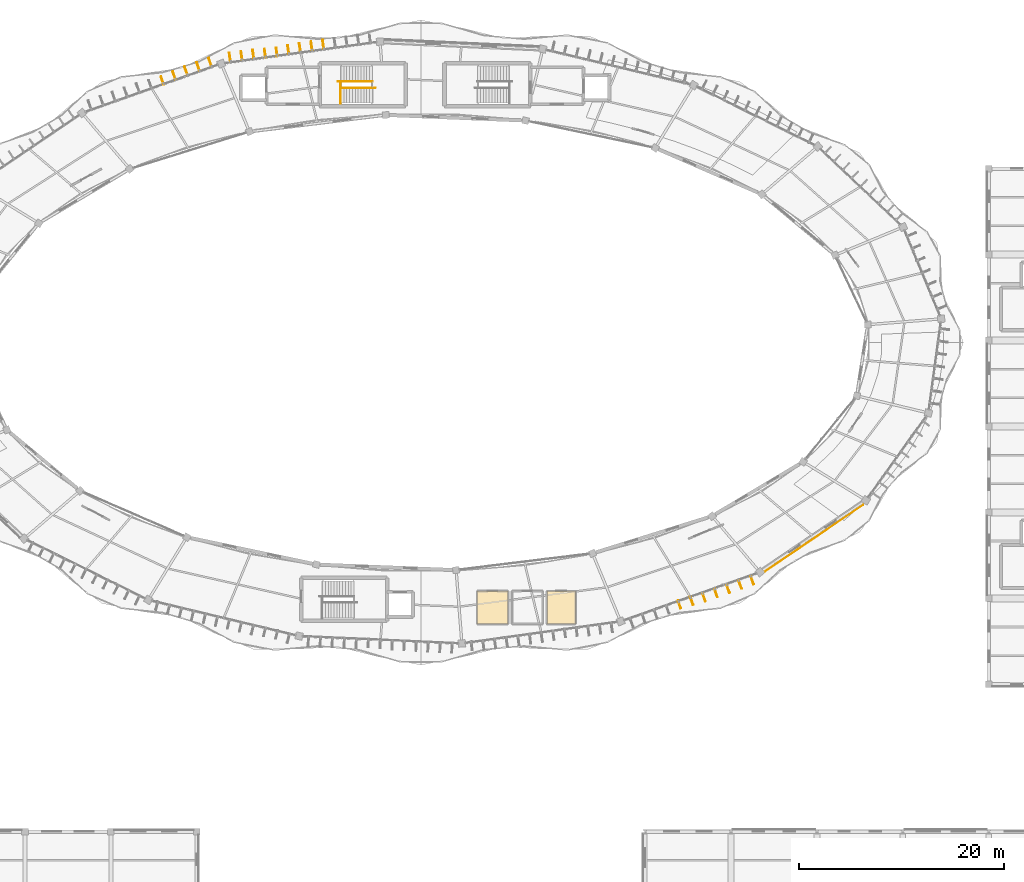
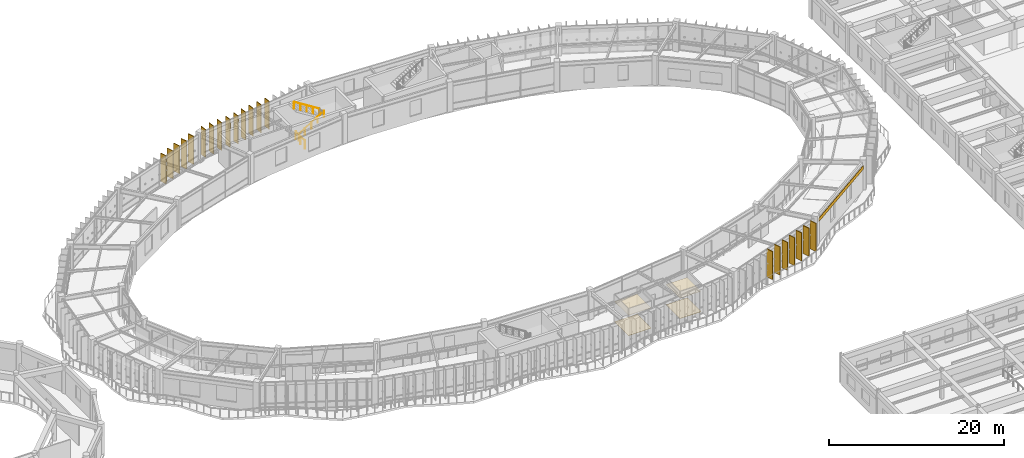
# One storey, part 134 of 138: 21 shading devices, 5 coverings, 3 railings.
"""IFC4 building model written with IfcOpenShell, lengths in metres."""

import ifcopenshell
import ifcopenshell.guid

model = None  # the IFC model being written
_history = None  # IfcOwnerHistory: only IFC2X3 demands one
_inside = {}  # id of a spatial element -> (the spatial element, [elements in it])
_under = {}  # id of a project, library or spatial element -> (it, [spatial elements below it])
_declared = {}  # id of a project -> (the project, [libraries it declares])
_typed = {}  # id of a type object -> (the type object, [elements of that type])
_made_of = {}  # id of a material, layer set ... -> (it, [elements and type objects made of it])


def new_model(schema):
    """Start an empty IFC model of exactly this schema.

    Asked for "IFC4X3", IfcOpenShell would pick the latest addendum, in which some entities
    have other attributes; the version numbers below select the first issue.
    IFC2X3 requires an IfcOwnerHistory on every rooted entity: one is made here for all.
    """
    global model, _history
    if schema == "IFC4X3":
        model = ifcopenshell.file(schema_version=(4, 3, 0, 0))
    else:
        model = ifcopenshell.file(schema=schema)
    _inside.clear()
    _under.clear()
    _declared.clear()
    _typed.clear()
    _made_of.clear()
    _history = None
    if model.schema == "IFC2X3":
        org = make("IfcOrganization", Name="unknown")
        user = make(
            "IfcPersonAndOrganization",
            ThePerson=make("IfcPerson", FamilyName="unknown"),
            TheOrganization=org,
        )
        app = make(
            "IfcApplication",
            ApplicationDeveloper=org,
            Version="unknown",
            ApplicationFullName="unknown",
            ApplicationIdentifier="unknown",
        )
        _history = make(
            "IfcOwnerHistory",
            OwningUser=user,
            OwningApplication=app,
            ChangeAction="ADDED",
            CreationDate=0,
        )
    return model


def make(cls, **values):
    """One entity of the class cls with the attributes given. An attribute that is None is left unset."""
    return model.create_entity(
        cls, **{name: value for name, value in values.items() if value is not None}
    )


def rooted(cls, **values):
    """An entity with a GlobalId (a new one), such as an element, a storey or a relation."""
    return make(cls, GlobalId=ifcopenshell.guid.new(), OwnerHistory=_history, **values)


def si_unit(unit_type, name, prefix=None):
    """IfcSIUnit, for example si_unit("LENGTHUNIT", "METRE", prefix="MILLI")."""
    return make("IfcSIUnit", UnitType=unit_type, Prefix=prefix, Name=name)


def assignment(units):
    """IfcUnitAssignment: the units of a project."""
    return None if units is None else make("IfcUnitAssignment", Units=units)


def point(xyz):
    """IfcCartesianPoint."""
    return None if xyz is None else make("IfcCartesianPoint", Coordinates=xyz)


def direction(xyz):
    """IfcDirection."""
    return None if xyz is None else make("IfcDirection", DirectionRatios=xyz)


def frame(location, z_axis=None, x_axis=None):
    """IfcAxis2Placement3D, a coordinate frame: its origin and axes. An axis left out is left unset."""
    return make(
        "IfcAxis2Placement3D",
        Location=point(location),
        Axis=direction(z_axis),
        RefDirection=direction(x_axis),
    )


def frame_2d(location, x_axis=None):
    """IfcAxis2Placement2D, a coordinate frame in the plane: its origin and x axis."""
    return make(
        "IfcAxis2Placement2D", Location=point(location), RefDirection=direction(x_axis)
    )


def origin():
    """The frame at (0, 0, 0) with its axes left unset."""
    return frame((0.0, 0.0, 0.0))


def origin_2d():
    """The frame at (0, 0) in the plane with its x axis left unset."""
    return frame_2d((0.0, 0.0))


def place(relative_to, where):
    """IfcLocalPlacement: puts the frame where relative to a parent placement (None: the world)."""
    return make(
        "IfcLocalPlacement", PlacementRelTo=relative_to, RelativePlacement=where
    )


def context(
    kind, dimensions, precision=None, world=None, true_north=None, identifier=None
):
    """IfcGeometricRepresentationContext, for example the 3D "Model" context."""
    return make(
        "IfcGeometricRepresentationContext",
        ContextIdentifier=identifier,
        ContextType=kind,
        CoordinateSpaceDimension=dimensions,
        Precision=precision,
        WorldCoordinateSystem=world,
        TrueNorth=true_north,
    )


def subcontext(parent, identifier, kind, view, scale=None):
    """IfcGeometricRepresentationSubContext, for example "Body" below "Model"."""
    return make(
        "IfcGeometricRepresentationSubContext",
        ContextIdentifier=identifier,
        ContextType=kind,
        ParentContext=parent,
        TargetScale=scale,
        TargetView=view,
    )


def project(units=None, contexts=None):
    """IfcProject with its units and contexts."""
    return rooted(
        "IfcProject",
        Name="project",
        RepresentationContexts=contexts,
        UnitsInContext=assignment(units),
    )


def spatial(cls, under=None, at=None, **own):
    """A site, building, storey or space (cls), placed at a placement, below another one or the project."""
    s = rooted(cls, ObjectPlacement=at, **own)
    if under is not None:
        _under.setdefault(under.id(), (under, []))[1].append(s)
    return s


def polyline(points):
    """IfcPolyline through the points."""
    return make("IfcPolyline", Points=[point(p) for p in points])


def profile(cls, at=None, kind="AREA", **sizes):
    """A parametric profile (cls). Its sizes go by their IFC names, for example OverallWidth=200.0."""
    return make(cls, ProfileType=kind, Position=at, **sizes)


def rectangle(**sizes):
    """IfcRectangleProfileDef."""
    return profile("IfcRectangleProfileDef", **sizes)


def circle(**sizes):
    """IfcCircleProfileDef."""
    return profile("IfcCircleProfileDef", **sizes)


def outline(outer, holes=None, kind="AREA"):
    """IfcArbitraryClosedProfileDef: a profile drawn as a closed curve; with holes, ...WithVoids."""
    if holes is None:
        return make("IfcArbitraryClosedProfileDef", ProfileType=kind, OuterCurve=outer)
    return make(
        "IfcArbitraryProfileDefWithVoids",
        ProfileType=kind,
        OuterCurve=outer,
        InnerCurves=holes,
    )


def extrude(swept, where, along, depth):
    """IfcExtrudedAreaSolid: the profile swept, set in the frame where, extruded along a direction by depth."""
    return make(
        "IfcExtrudedAreaSolid",
        SweptArea=swept,
        Position=where,
        ExtrudedDirection=direction(along),
        Depth=depth,
    )


def shape(context_of_items, identifier, shape_type, items):
    """IfcShapeRepresentation: the items that make up one representation, for example the "Body"."""
    return make(
        "IfcShapeRepresentation",
        ContextOfItems=context_of_items,
        RepresentationIdentifier=identifier,
        RepresentationType=shape_type,
        Items=items,
    )


def material(Name=None, Category=None):
    """IfcMaterial."""
    return make("IfcMaterial", Name=Name, Category=Category)


def layer(
    of_material, thickness, ventilated=None, Name=None, Category=None, Priority=None
):
    """IfcMaterialLayer: one layer of a wall or slab, of a material (None: an air gap)."""
    return make(
        "IfcMaterialLayer",
        Material=of_material,
        LayerThickness=thickness,
        IsVentilated=ventilated,
        Name=Name,
        Category=Category,
        Priority=Priority,
    )


def layer_set(layers, Name=None):
    """IfcMaterialLayerSet."""
    return make("IfcMaterialLayerSet", MaterialLayers=layers, LayerSetName=Name)


def made_of(thing, what):
    """Note that an element or type object is made of a material, layer set ...; save() writes the relation."""
    if what is not None:
        _made_of.setdefault(what.id(), (what, []))[1].append(thing)
    return thing


def type_object(cls, material=None, **own):
    """A type object (cls), such as IfcWallType, which elements share."""
    return made_of(rooted(cls, **own), material)


def element(
    cls,
    number,
    at=None,
    inside=None,
    cuts=None,
    type_object=None,
    material=None,
    context=None,
    identifier="Body",
    shape_type=None,
    held_by="IfcProductDefinitionShape",
    body=None,
    shapes=None,
    **own,
):
    """One element of the class cls, such as IfcWall. Its Tag is "e" and its number.

    at: its placement. inside: the storey or other place that contains it. cuts: it is an
    opening in that element (IfcRelVoidsElement). A single representation is given by context,
    identifier, shape_type and body (its items); several are given by shapes. held_by: the class
    of the entity that holds the representations. save() writes the other relations.
    """
    e = rooted(cls, Tag="e%d" % number, ObjectPlacement=at, **own)
    if body is not None:
        shapes = [shape(context, identifier, shape_type, body)]
    if shapes is not None:
        e.Representation = make(held_by, Representations=shapes)
    if inside is not None:
        _inside.setdefault(inside.id(), (inside, []))[1].append(e)
    if cuts is not None:
        rooted(
            "IfcRelVoidsElement", RelatingBuildingElement=cuts, RelatedOpeningElement=e
        )
    if type_object is not None:
        _typed.setdefault(type_object.id(), (type_object, []))[1].append(e)
    return made_of(e, material)


def aggregate(whole, parts):
    """IfcRelAggregates: a whole, such as a stair, and the parts it consists of."""
    return rooted("IfcRelAggregates", RelatingObject=whole, RelatedObjects=parts)


def save(model, path):
    """Write the relations noted so far, then the file.

    IfcRelAggregates (storeys below a building ...), IfcRelContainedInSpatialStructure (elements
    in a storey), IfcRelDefinesByType, IfcRelAssociatesMaterial and IfcRelDeclares: one each for
    every whole, place, type object, material and project.
    """
    for whole, parts in _under.values():
        aggregate(whole, parts)
    for where, things in _inside.values():
        rooted(
            "IfcRelContainedInSpatialStructure",
            RelatedElements=things,
            RelatingStructure=where,
        )
    for kind, things in _typed.values():
        rooted("IfcRelDefinesByType", RelatedObjects=things, RelatingType=kind)
    for what, things in _made_of.values():
        rooted("IfcRelAssociatesMaterial", RelatedObjects=things, RelatingMaterial=what)
    for by, libraries in _declared.values():
        rooted("IfcRelDeclares", RelatingContext=by, RelatedDefinitions=libraries)
    model.write(path)


model = new_model("IFC4")

# Units and contexts
model_context = context("Model", 3, precision=1e-05, world=origin(), true_north=direction((0.0, 1.0)))
body_context = subcontext(model_context, "Body", "Model", "MODEL_VIEW")
ifc_project = project(units=[si_unit("LENGTHUNIT", "METRE"), si_unit("AREAUNIT", "SQUARE_METRE"), si_unit("VOLUMEUNIT", "CUBIC_METRE"), si_unit("PLANEANGLEUNIT", "RADIAN"), si_unit("MASSUNIT", "GRAM", prefix="KILO"), si_unit("THERMODYNAMICTEMPERATUREUNIT", "KELVIN"), si_unit("POWERUNIT", "WATT")], contexts=[model_context])

# Site, building, storey
site_placement = place(None, origin())
site = spatial("IfcSite", under=ifc_project, at=site_placement, CompositionType="ELEMENT")
building_placement = place(site_placement, origin())
building = spatial("IfcBuilding", under=site, at=building_placement, Name="Darbajah Civic Hall", CompositionType="ELEMENT")
storey_placement = place(building_placement, frame((0.0, 0.0, 9.60009765625)))
storey = spatial("IfcBuildingStorey", under=building, at=storey_placement, Name="L02", CompositionType="ELEMENT", Elevation=9.60009765625)

# Railings
ifc_material_1 = material(Name="Brushed Bronze Stainless Steel", Category="steel")
railing_type_1 = type_object("IfcRailingType", Name="Brushed Bronze Handrail", PredefinedType="HANDRAIL", material=ifc_material_1)
railing_1_placement = place(storey_placement, frame((81.280029296875, 114.699951171875, 0.1748046875)))
element("IfcRailing", 1, at=railing_1_placement, inside=storey, type_object=railing_type_1, Name="ST01 L02 lower flight handrail", PredefinedType="HANDRAIL", context=body_context, shape_type="SweptSolid", body=[
    extrude(circle(Radius=0.02392578125, at=origin_2d()), frame((0.023193359375, 0.0, 0.910400390625), z_axis=(0.845926808262, 0.0, 0.533299010935), x_axis=(0.0, 1.0, 0.0)), (0.0, 0.0, 1.0), 3.917236328125),
    extrude(circle(Radius=0.02099609375, at=origin_2d()), origin(), (0.0, 0.0, 1.0), 0.867919921875),
    extrude(circle(Radius=0.02099609375, at=origin_2d()), frame((0.83984375, 0.0, 0.529541015625)), (0.0, 0.0, 1.0), 0.867919921875),
    extrude(circle(Radius=0.02099609375, at=origin_2d()), frame((1.679931640625, 0.0, 1.05908203125)), (0.0, 0.0, 1.0), 0.867919921875),
    extrude(circle(Radius=0.02099609375, at=origin_2d()), frame((2.52001953125, 0.0, 1.588623046875)), (0.0, 0.0, 1.0), 0.867919921875),
    extrude(circle(Radius=0.02099609375, at=origin_2d()), frame((3.35986328125, 0.0, 2.1181640625)), (0.0, 0.0, 1.0), 0.867919921875),
])
railing_2_placement = place(storey_placement, frame((84.360107421875, 115.300048828125, 2.27490234375)))
element("IfcRailing", 2, at=railing_2_placement, inside=storey, type_object=railing_type_1, Name="ST01 L02 upper flight handrail", PredefinedType="HANDRAIL", context=body_context, shape_type="SweptSolid", body=[
    extrude(circle(Radius=0.02392578125, at=origin_2d()), frame((-0.023193359375, 0.0, 0.910400390625), z_axis=(-0.845944288966, 0.0, 0.533271281775), x_axis=(0.0, -1.0, 0.0)), (0.0, 0.0, 1.0), 3.91748046875),
    extrude(circle(Radius=0.02099609375, at=origin_2d()), origin(), (0.0, 0.0, 1.0), 0.867919921875),
    extrude(circle(Radius=0.02099609375, at=origin_2d()), frame((-0.840087890625, 0.0, 0.529541015625)), (0.0, 0.0, 1.0), 0.867919921875),
    extrude(circle(Radius=0.02099609375, at=origin_2d()), frame((-1.68017578125, 0.0, 1.05908203125)), (0.0, 0.0, 1.0), 0.867919921875),
    extrude(circle(Radius=0.02099609375, at=origin_2d()), frame((-2.52001953125, 0.0, 1.588623046875)), (0.0, 0.0, 1.0), 0.867919921875),
    extrude(circle(Radius=0.02099609375, at=origin_2d()), frame((-3.360107421875, 0.0, 2.1181640625)), (0.0, 0.0, 1.0), 0.867919921875),
])

# Coverings
ifc_material_2 = material(Name="Honed Qatari Limestone Terrazzo", Category="masonry")
ifc_layer_1 = layer(ifc_material_2, 0.030029296875, Name="Honed Qatari Limestone Terrazzo")
ifc_layer_set_1 = layer_set([ifc_layer_1], Name="Honed Qatari Limestone Terrazzo")
covering_type_1 = type_object("IfcCoveringType", Name="Honed Qatari Limestone Terrazzo Flooring", PredefinedType="FLOORING", material=ifc_layer_set_1)
covering_1_placement = place(storey_placement, origin())
element("IfcCovering", 3, at=covering_1_placement, inside=storey, type_object=covering_type_1, Name="L02 stone terrazzo flooring L02-WCM", PredefinedType="FLOORING", context=body_context, shape_type="SweptSolid", body=[
    extrude(outline(polyline([(94.60009765625, 62.300048828125), (97.60009765625, 62.300048828125), (97.60009765625, 65.5), (94.60009765625, 65.5), (94.60009765625, 62.300048828125)])), origin(), (0.0, 0.0, 1.0), 0.02978515625),
])
covering_2_placement = place(storey_placement, origin())
element("IfcCovering", 4, at=covering_2_placement, inside=storey, type_object=covering_type_1, Name="L02 stone terrazzo flooring L02-WCA", PredefinedType="FLOORING", context=body_context, shape_type="SweptSolid", body=[
    extrude(outline(polyline([(101.39990234375, 62.300048828125), (104.199951171875, 62.300048828125), (104.199951171875, 65.5), (101.39990234375, 65.5), (101.39990234375, 62.300048828125)])), origin(), (0.0, 0.0, 1.0), 0.02978515625),
])

# Railing
ifc_material_3 = material(Name="Brushed Bronze and Laminated Safety Glass", Category="glass")
railing_type_2 = type_object("IfcRailingType", Name="Interior Guard Balustrade", PredefinedType="BALUSTRADE", material=ifc_material_3)
railing_3_placement = place(storey_placement, frame((81.22998046875, 113.14990234375, 0.0)))
element("IfcRailing", 5, at=railing_3_placement, inside=storey, type_object=railing_type_2, Name="ST01 L02 stair-well edge guard", PredefinedType="BALUSTRADE", context=body_context, shape_type="SweptSolid", body=[
    extrude(circle(Radius=0.02392578125, at=origin_2d()), frame((0.0, 0.02734375, 1.09619140625), z_axis=(0.0, 1.0, 0.0), x_axis=(-1.0, 0.0, 0.0)), (0.0, 0.0, 1.0), 2.095458984375),
    extrude(circle(Radius=0.02099609375, at=origin_2d()), origin(), (0.0, 0.0, 1.0), 1.068115234375),
    extrude(circle(Radius=0.02099609375, at=origin_2d()), frame((0.0, 1.0751953125, 0.0)), (0.0, 0.0, 1.0), 1.068115234375),
    extrude(circle(Radius=0.02099609375, at=origin_2d()), frame((0.0, 2.150146484375, 0.0)), (0.0, 0.0, 1.0), 1.068115234375),
])

# Coverings
ifc_material_4 = material(Name="Qatari Desert Limestone Ashlar", Category="masonry")
ifc_layer_2 = layer(ifc_material_4, 0.044921875, Name="Qatari Desert Limestone Ashlar")
ifc_layer_set_2 = layer_set([ifc_layer_2], Name="Qatari Desert Limestone Ashlar")
covering_type_2 = type_object("IfcCoveringType", Name="Limestone Facade Cladding", PredefinedType="CLADDING", material=ifc_layer_set_2)
covering_3_placement = place(storey_placement, frame((0.0, 0.0, 3.02001953125)))
element("IfcCovering", 6, at=covering_3_placement, inside=storey, type_object=covering_type_2, Name="L02 stone frieze cladding EW-V1O-L02-17", PredefinedType="CLADDING", context=body_context, shape_type="SweptSolid", body=[
    extrude(outline(polyline([(122.66162109375, 67.412109375), (132.317138671875, 73.951416015625), (132.34228515625, 73.914306640625), (122.686767578125, 67.375), (122.66162109375, 67.412109375)])), origin(), (0.0, 0.0, 1.0), 0.5),
])
ifc_material_5 = material(Name="Perforated Acoustic Gypsum Board")
ifc_layer_3 = layer(ifc_material_5, 0.02490234375, Name="Perforated Acoustic Gypsum Board")
ifc_layer_set_3 = layer_set([ifc_layer_3], Name="Perforated Acoustic Gypsum Board")
covering_type_3 = type_object("IfcCoveringType", Name="Perforated Acoustic Gypsum Ceiling", PredefinedType="CEILING", material=ifc_layer_set_3)
covering_4_placement = place(storey_placement, frame((0.0, 0.0, 2.849853515625)))
element("IfcCovering", 7, at=covering_4_placement, inside=storey, type_object=covering_type_3, Name="L02 acoustic suspended ceiling L02-WCM", PredefinedType="CEILING", context=body_context, shape_type="SweptSolid", body=[
    extrude(outline(polyline([(94.60009765625, 62.300048828125), (97.60009765625, 62.300048828125), (97.60009765625, 65.5), (94.60009765625, 65.5), (94.60009765625, 62.300048828125)])), origin(), (0.0, 0.0, 1.0), 0.025146484375),
])
covering_5_placement = place(storey_placement, frame((0.0, 0.0, 2.849853515625)))
element("IfcCovering", 8, at=covering_5_placement, inside=storey, type_object=covering_type_3, Name="L02 acoustic suspended ceiling L02-WCA", PredefinedType="CEILING", context=body_context, shape_type="SweptSolid", body=[
    extrude(outline(polyline([(101.39990234375, 62.300048828125), (104.199951171875, 62.300048828125), (104.199951171875, 65.5), (101.39990234375, 65.5), (101.39990234375, 62.300048828125)])), origin(), (0.0, 0.0, 1.0), 0.025146484375),
])

# Shading devices
ifc_material_6 = material(Name="Bronze Anodised Aluminium and Teak Composite", Category="aluminium")
shading_device_type = type_object("IfcShadingDeviceType", Name="Vertical Bronze Timber Shading Fin", PredefinedType="USERDEFINED", material=ifc_material_6)
for number, where, z_axis, x_axis, name in (
    (9, (79.5498046875, 118.95849609375, 0.0), (0.0, 0.0, 1.0), (-0.137617420457, 0.990485459553, 0.0), "L02 vertical shading fin VF-05-5"),
    (10, (78.409912109375, 118.80029296875, 0.0), (0.0, 0.0, 1.0), (-0.137617420457, 0.990485459553, 0.0), "L02 vertical shading fin VF-05-6"),
    (11, (77.27001953125, 118.641845703125, 0.0), (0.0, 0.0, 1.0), (-0.137617420457, 0.990485459553, 0.0), "L02 vertical shading fin VF-05-7"),
    (12, (76.135498046875, 118.444091796875, 0.0), (0.0, 0.0, 1.0), (-0.137617420457, 0.990485459553, 0.0), "L02 vertical shading fin VF-05-8"),
    (13, (75.01123046875, 118.173828125, 0.0), (0.0, 0.0, 1.0), (-0.137617420457, 0.990485459553, 0.0), "L02 vertical shading fin VF-05-9"),
    (14, (73.86474609375, 118.064208984375, 0.0), (0.0, 0.0, 1.0), (-0.137617420457, 0.990485459553, 0.0), "L02 vertical shading fin VF-05-10"),
    (15, (72.710693359375, 118.0087890625, 0.0), (0.0, 0.0, 1.0), (-0.137617420457, 0.990485459553, 0.0), "L02 vertical shading fin VF-05-11"),
    (16, (71.57080078125, 117.850341796875, 0.0), (0.0, 0.0, 1.0), (-0.137617420457, 0.990485459553, 0.0), "L02 vertical shading fin VF-05-12"),
    (17, (70.430908203125, 117.692138671875, 0.0), (0.0, 0.0, 1.0), (-0.137617420457, 0.990485459553, 0.0), "L02 vertical shading fin VF-05-13"),
    (18, (68.490966796875, 117.213623046875, 0.0), (0.0, 0.0, 1.0), (-0.334135882844, 0.94252491309, 0.0), "L02 vertical shading fin VF-06-1"),
    (19, (67.314453125, 116.796630859375, 0.0), (0.0, 0.0, 1.0), (-0.334135882844, 0.94252491309, 0.0), "L02 vertical shading fin VF-06-2"),
    (20, (66.137939453125, 116.379638671875, 0.0), (0.0, 0.0, 1.0), (-0.334135882844, 0.94252491309, 0.0), "L02 vertical shading fin VF-06-3"),
    (21, (64.98681640625, 115.89111328125, 0.0), (0.0, 0.0, 1.0), (-0.334135882844, 0.94252491309, 0.0), "L02 vertical shading fin VF-06-4"),
    (22, (63.8369140625, 115.39892578125, 0.0), (0.0, 0.0, 1.0), (-0.334135882844, 0.94252491309, 0.0), "L02 vertical shading fin VF-06-5"),
    (23, (114.363037109375, 64.200927734375, 0.0), (0.0, 0.0, 1.0), (0.334135882844, -0.94252491309, 0.0), "L02 vertical shading fin VF-16-5"),
    (24, (115.558349609375, 64.56494140625, 0.0), (0.0, 0.0, 1.0), (0.334135882844, -0.94252491309, 0.0), "L02 vertical shading fin VF-16-6"),
    (25, (116.767822265625, 64.888427734375, 0.0), (0.0, 0.0, 1.0), (0.334135882844, -0.94252491309, 0.0), "L02 vertical shading fin VF-16-7"),
    (26, (117.9443359375, 65.305419921875, 0.0), (0.0, 0.0, 1.0), (0.334135882844, -0.94252491309, 0.0), "L02 vertical shading fin VF-16-8"),
    (27, (119.120849609375, 65.722412109375, 0.0), (0.0, 0.0, 1.0), (0.334135882844, -0.94252491309, 0.0), "L02 vertical shading fin VF-16-9"),
    (28, (120.29736328125, 66.139404296875, 0.0), (0.0, 0.0, 1.0), (0.334135882844, -0.94252491309, 0.0), "L02 vertical shading fin VF-16-10"),
    (29, (121.473876953125, 66.556396484375, 0.0), (0.0, 0.0, 1.0), (0.334135882844, -0.94252491309, 0.0), "L02 vertical shading fin VF-16-11"),
):
    element("IfcShadingDevice", number, at=place(storey_placement, frame(where, z_axis=z_axis, x_axis=x_axis)), inside=storey, type_object=shading_device_type, Name=name, ObjectType="VERTICAL FIN", PredefinedType="USERDEFINED", context=body_context, shape_type="SweptSolid", body=[
        extrude(rectangle(XDim=0.85009765625, YDim=0.090087890625, at=origin_2d()), origin(), (0.0, 0.0, 1.0), 3.919921875),
    ])

save(model, "model.ifc")
